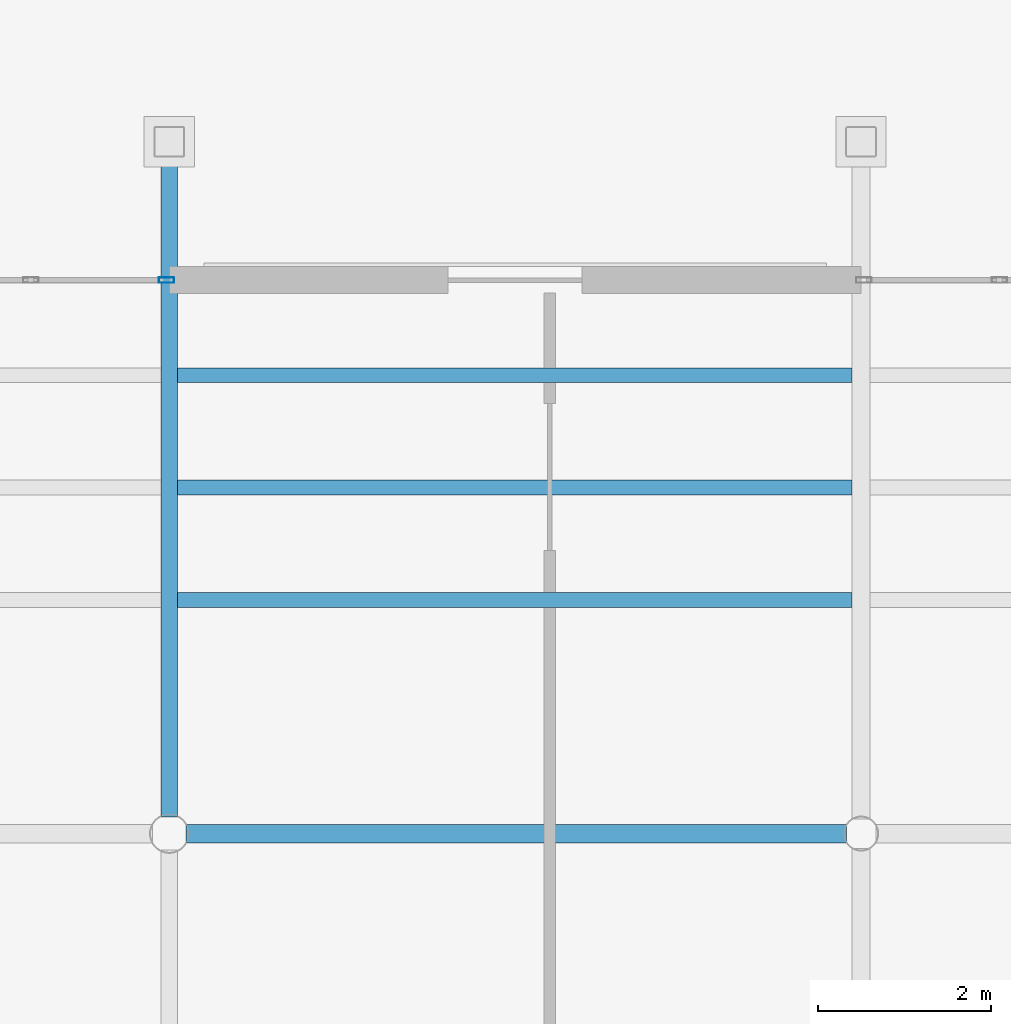
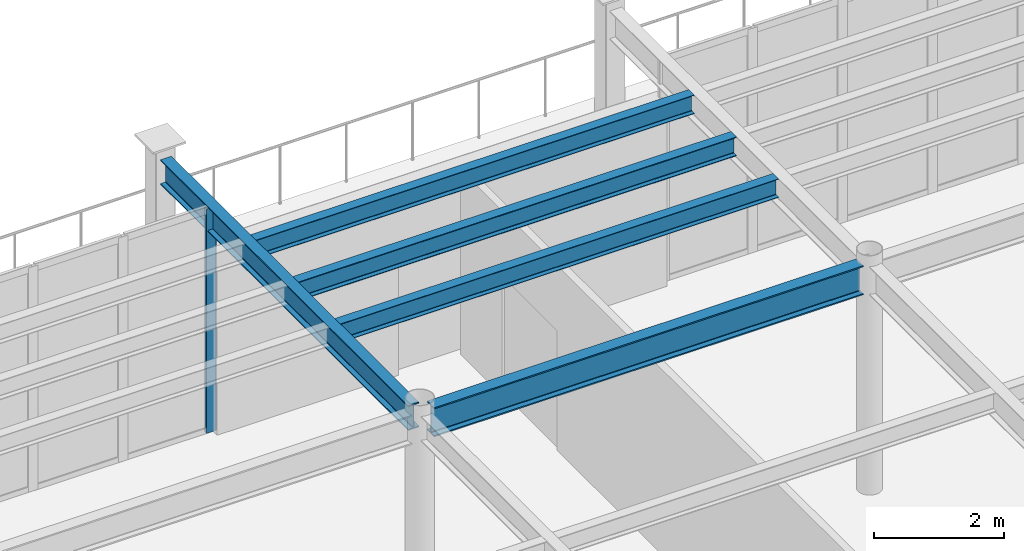
# One storey, part 29 of 111: 5 beams, 1 member, 1 element without a shape of its own.
"""IFC4 building model written with IfcOpenShell, lengths in metres."""

from ifc_helpers import new_model, si_unit, direction, frame, origin, origin_2d, place, context, subcontext, project, spatial, hollow_rectangle, i_section, extrude, material, material_profile, profile_set, type_object, element, aggregate, save


model = new_model("IFC4")

# Units and contexts
model_context = context("Model", 3, precision=1e-05, world=origin(), true_north=direction((0.0, 1.0)))
body_context = subcontext(model_context, "Body", "Model", "MODEL_VIEW")
ifc_project = project(units=[si_unit("LENGTHUNIT", "METRE"), si_unit("AREAUNIT", "SQUARE_METRE"), si_unit("VOLUMEUNIT", "CUBIC_METRE"), si_unit("PLANEANGLEUNIT", "RADIAN"), si_unit("MASSUNIT", "GRAM", prefix="KILO")], contexts=[model_context])

# Site, building, storey
site_placement = place(None, origin())
site = spatial("IfcSite", under=ifc_project, at=site_placement, CompositionType="ELEMENT")
building_placement = place(site_placement, origin())
building = spatial("IfcBuilding", under=site, at=building_placement, Name="Solmirada Galleria", CompositionType="ELEMENT")
storey_placement = place(building_placement, frame((0.0, 0.0, 10.39990234375)))
storey = spatial("IfcBuildingStorey", under=building, at=storey_placement, Name="L02", CompositionType="ELEMENT", Elevation=10.39990234375)

# Beams
ifc_material_1 = material(Name="Steel S355 / ASTM A992 Grade 50", Category="steel")
ifc_material_profile_1 = material_profile(ifc_material_1, i_section(OverallWidth=0.194091796875, OverallDepth=0.468994140625, WebThickness=0.0126953125, FlangeThickness=0.0205078125, FilletRadius=0.013916015625, at=origin_2d()), Name="W18X71")
ifc_profile_set_1 = profile_set([ifc_material_profile_1], Name="Steel S355 / ASTM A992 Grade 50")
beam_type_1 = type_object("IfcBeamType", Name="BM-GIRD-W18B", PredefinedType="BEAM", material=ifc_profile_set_1)
beam_1_placement = place(storey_placement, frame((120.0, 32.19189453125, 4.025634765625), z_axis=(0.0, 1.0, 0.0), x_axis=(-1.0, 0.0, 0.0)))
element("IfcBeam", 1, at=beam_1_placement, inside=storey, type_object=beam_type_1, Name="Primary girder L03 Y(120, 32..40)", PredefinedType="BEAM", context=body_context, shape_type="SweptSolid", body=[
    extrude(i_section(OverallWidth=0.194091796875, OverallDepth=0.468994140625, WebThickness=0.0126953125, FlangeThickness=0.0205078125, FilletRadius=0.013916015625, at=origin_2d()), origin(), (0.0, 0.0, 1.0), 7.630126953125),
])
ifc_material_profile_2 = material_profile(ifc_material_1, i_section(OverallWidth=0.214111328125, OverallDepth=0.549072265625, WebThickness=0.0146484375, FlangeThickness=0.023681640625, FilletRadius=0.014892578125, at=origin_2d()), Name="W21X93")
ifc_profile_set_2 = profile_set([ifc_material_profile_2], Name="Steel S355 / ASTM A992 Grade 50")
beam_type_2 = type_object("IfcBeamType", Name="BM-GIRD-W21A", PredefinedType="BEAM", material=ifc_profile_set_2)
beam_2_placement = place(storey_placement, frame((120.19189453125, 32.0, 4.025634765625), z_axis=(1.0, 0.0, 0.0), x_axis=(0.0, 1.0, 0.0)))
element("IfcBeam", 2, at=beam_2_placement, inside=storey, type_object=beam_type_2, Name="Primary beam L03 X(120..128, 32)", PredefinedType="BEAM", context=body_context, shape_type="SweptSolid", body=[
    extrude(i_section(OverallWidth=0.214111328125, OverallDepth=0.549072265625, WebThickness=0.0146484375, FlangeThickness=0.023681640625, FilletRadius=0.014892578125, at=origin_2d()), origin(), (0.0, 0.0, 1.0), 7.6376953125),
])
ifc_material_profile_3 = material_profile(ifc_material_1, i_section(OverallWidth=0.172119140625, OverallDepth=0.35791015625, WebThickness=0.0078125, FlangeThickness=0.01318359375, FilletRadius=0.011962890625, at=origin_2d()), Name="W14X38")
ifc_profile_set_3 = profile_set([ifc_material_profile_3], Name="Steel S355 / ASTM A992 Grade 50")
beam_type_3 = type_object("IfcBeamType", Name="BM-JST-W14A", PredefinedType="JOIST", material=ifc_profile_set_3)
beam_3_placement = place(storey_placement, frame((120.096923828125, 36.0, 4.0810546875), z_axis=(1.0, 0.0, 0.0), x_axis=(0.0, 1.0, 0.0)))
element("IfcBeam", 3, at=beam_3_placement, inside=storey, type_object=beam_type_3, Name="Composite floor joist L03 (120..128, 36.0)", PredefinedType="JOIST", context=body_context, shape_type="SweptSolid", body=[
    extrude(i_section(OverallWidth=0.172119140625, OverallDepth=0.35791015625, WebThickness=0.0078125, FlangeThickness=0.01318359375, FilletRadius=0.011962890625, at=origin_2d()), origin(), (0.0, 0.0, 1.0), 7.798095703125),
])
ifc_material_profile_4 = material_profile(ifc_material_1, i_section(OverallWidth=0.1708984375, OverallDepth=0.35205078125, WebThickness=0.0068359375, FlangeThickness=0.009765625, FilletRadius=0.010986328125, at=origin_2d()), Name="W14X30")
ifc_profile_set_4 = profile_set([ifc_material_profile_4], Name="Steel S355 / ASTM A992 Grade 50")
beam_type_4 = type_object("IfcBeamType", Name="BM-JST-W14B", PredefinedType="JOIST", material=ifc_profile_set_4)
for number, where, z_axis, x_axis, name in (
    (4, (120.096923828125, 34.699951171875, 4.083984375), (1.0, 0.0, 0.0), (0.0, 1.0, 0.0), "Terrace deck joist L03-TERR-SE X=120..128 (1)"),
    (5, (120.096923828125, 37.300048828125, 4.083984375), (1.0, 0.0, 0.0), (0.0, 1.0, 0.0), "Terrace deck joist L03-TERR-SE X=120..128 (2)"),
):
    element("IfcBeam", number, at=place(storey_placement, frame(where, z_axis=z_axis, x_axis=x_axis)), inside=storey, type_object=beam_type_4, Name=name, PredefinedType="JOIST", context=body_context, shape_type="SweptSolid", body=[
        extrude(i_section(OverallWidth=0.1708984375, OverallDepth=0.35205078125, WebThickness=0.0068359375, FlangeThickness=0.009765625, FilletRadius=0.010986328125, at=origin_2d()), origin(), (0.0, 0.0, 1.0), 7.798095703125),
    ])

# Curtain wall, member
ifc_material_2 = material(Name="Impact-resistant low-E double glazing", Category="glass")
curtain_wall_type = type_object("IfcCurtainWallType", Name="CW-FZ5-L02-B5-L080", PredefinedType="NOTDEFINED", material=ifc_material_2)
curtain_wall_placement = place(storey_placement, origin())
curtain_wall = element("IfcCurtainWall", 6, at=curtain_wall_placement, inside=storey, type_object=curtain_wall_type, Name="Terrace and arcade storefront CW-L02-113", PredefinedType="NOTDEFINED")
ifc_material_3 = material(Name="Anodised aluminium framing", Category="aluminium")
ifc_material_profile_5 = material_profile(ifc_material_3, hollow_rectangle(XDim=0.06494140625, YDim=0.179931640625, WallThickness=0.00390625, InnerFilletRadius=0.00390625, OuterFilletRadius=0.008056640625, at=origin_2d()), Name="ALU-MULL-180X65")
ifc_profile_set_5 = profile_set([ifc_material_profile_5], Name="Anodised aluminium framing")
member_type = type_object("IfcMemberType", Name="CW-MULL-180", PredefinedType="MULLION", material=ifc_profile_set_5)
member_placement = place(storey_placement, frame((119.967529296875, 38.39990234375, 0.0), z_axis=(0.0, 0.0, 1.0), x_axis=(0.0, 1.0, 0.0)))
member = element("IfcMember", 7, at=member_placement, type_object=member_type, Name="CW25 mullion 6", PredefinedType="MULLION", context=body_context, shape_type="SweptSolid", body=[
    extrude(hollow_rectangle(XDim=0.06494140625, YDim=0.179931640625, WallThickness=0.00390625, InnerFilletRadius=0.00390625, OuterFilletRadius=0.008056640625, at=origin_2d()), origin(), (0.0, 0.0, 1.0), 4.22021484375),
])
aggregate(curtain_wall, [member])

save(model, "model.ifc")
